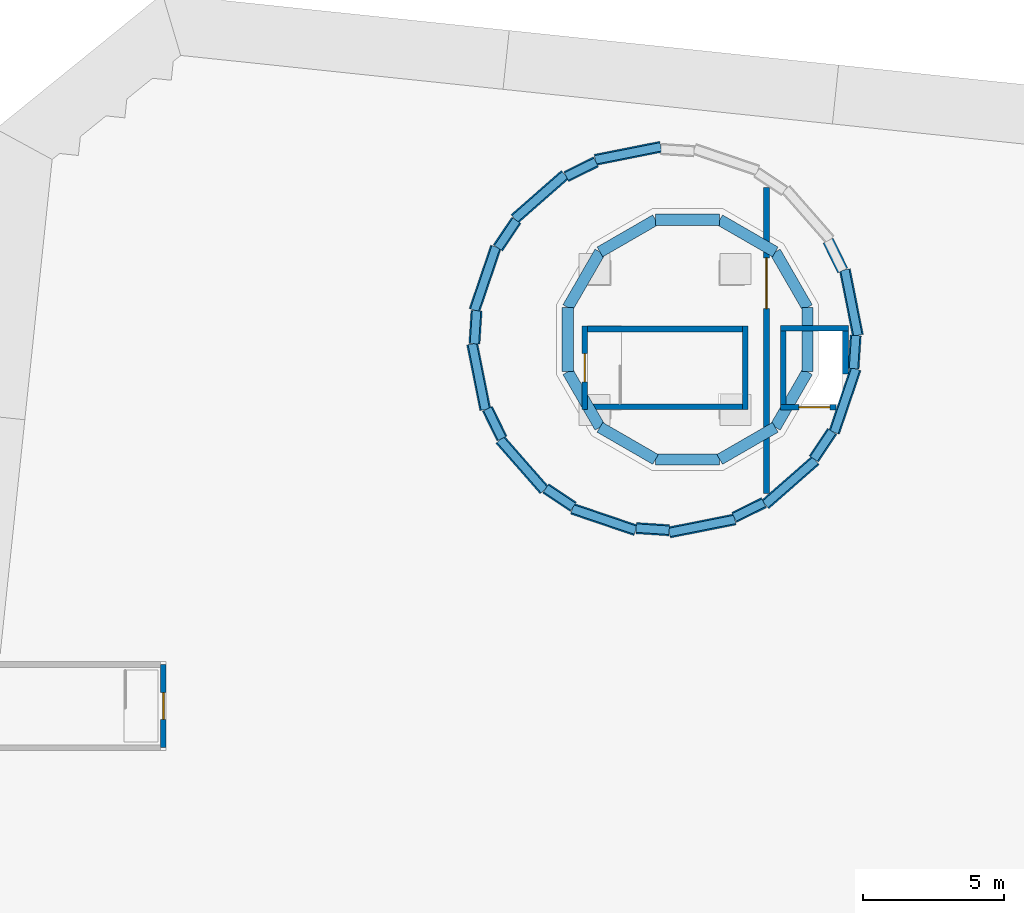
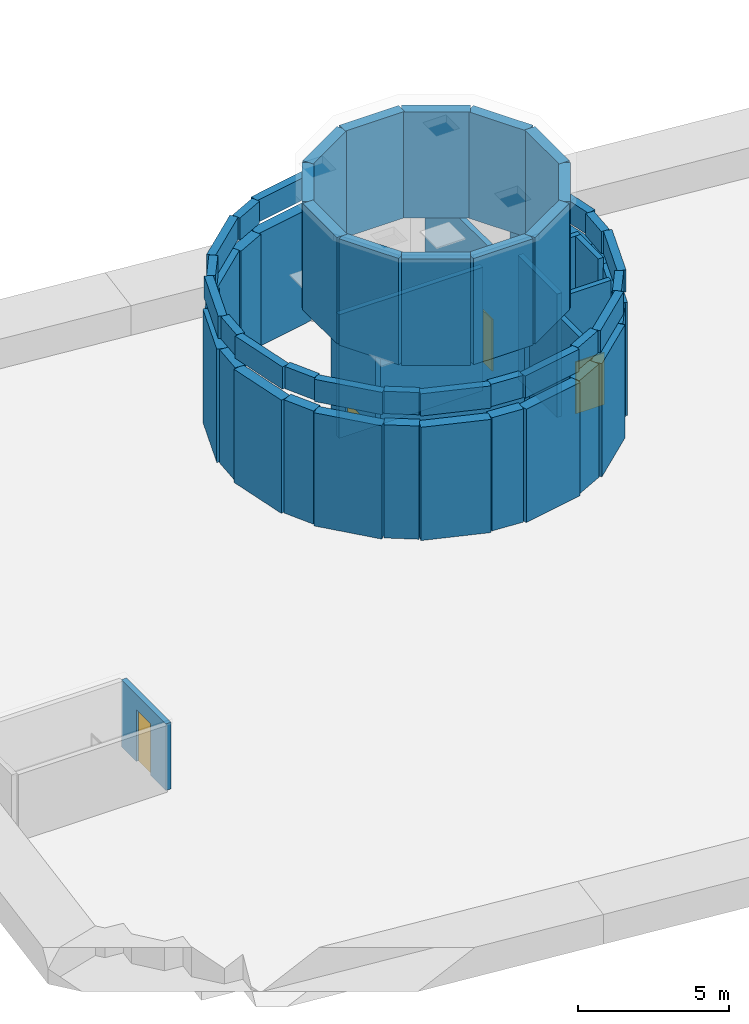
# One storey, part 1 of 3: 61 walls, 4 doors, 4 openings.
"""IFC4 building model written with IfcOpenShell, lengths in metres."""

from ifc_helpers import new_model, si_unit, direction, frame, frame_2d, origin, place, context, subcontext, project, spatial, rectangle, extrude, material, layer, layer_set, type_object, element, fill, save


model = new_model("IFC4")

# Units and contexts
model_context = context("Model", 3, precision=1e-05, world=origin(), true_north=direction((0.0, 1.0)))
body_context = subcontext(model_context, "Body", "Model", "MODEL_VIEW")
ifc_project = project(units=[si_unit("LENGTHUNIT", "METRE"), si_unit("AREAUNIT", "SQUARE_METRE"), si_unit("VOLUMEUNIT", "CUBIC_METRE"), si_unit("PLANEANGLEUNIT", "RADIAN"), si_unit("MASSUNIT", "GRAM", prefix="KILO")], contexts=[model_context])

# Site, building, storey
site_placement = place(None, origin())
site = spatial("IfcSite", under=ifc_project, at=site_placement, CompositionType="ELEMENT")
building_placement = place(site_placement, origin())
building = spatial("IfcBuilding", under=site, at=building_placement, Name="Vidyagriha Tower", CompositionType="ELEMENT")
storey_placement = place(building_placement, frame((0.0, 0.0, 313.39990234375)))
storey = spatial("IfcBuildingStorey", under=building, at=storey_placement, Name="L80", CompositionType="ELEMENT", Elevation=313.39990234375)

# Walls
ifc_material_1 = material(Name="Precast concrete C40/50 with brick facing", Category="concrete")
ifc_layer_1 = layer(ifc_material_1, 0.300048828125)
ifc_layer_set_1 = layer_set([ifc_layer_1], Name="Precast concrete C40/50 with brick facing")
wall_type_1 = type_object("IfcWallType", Name="Brick parapet wall 300", PredefinedType="PARAPET", material=ifc_layer_set_1)
for number, where, z_axis, x_axis, name in (
    (1, (6.84228515625, 13.150390625, 5.0), (0.0, 0.0, 1.0), (-0.195127507542, 0.980777883009, 0.0), "Drum roof parapet R01"),
    (2, (-0.150390625, 19.84228515625, 5.0), (0.0, 0.0, 1.0), (-0.980777883009, -0.195127507542, 0.0), "Drum roof parapet R07"),
):
    element("IfcWall", number, at=place(storey_placement, frame(where, z_axis=z_axis, x_axis=x_axis)), inside=storey, type_object=wall_type_1, Name=name, PredefinedType="PARAPET", context=body_context, shape_type="SweptSolid", body=[
        extrude(rectangle(XDim=2.374755859375, YDim=0.300048828125, at=frame_2d((1.1875, 0.0))), origin(), (0.0, 0.0, 1.0), 0.900146484375),
    ])
wall_1_placement = place(storey_placement, frame((-2.454345703125, 19.3046875, 5.0), z_axis=(0.0, 0.0, 1.0), x_axis=(-0.896948795246, -0.442134435107, 0.0)))
element("IfcWall", 3, at=wall_1_placement, inside=storey, type_object=wall_type_1, Name="Drum roof parapet R08", PredefinedType="PARAPET", context=body_context, shape_type="SweptSolid", body=[
    extrude(rectangle(XDim=1.174560546875, YDim=0.300048828125, at=frame_2d((0.58740234375, 0.0))), origin(), (0.0, 0.0, 1.0), 0.900146484375),
])
wall_2_placement = place(storey_placement, frame((-3.551513671875, 18.850341796875, 5.0), z_axis=(0.0, 0.0, 1.0), x_axis=(-0.751856568523, -0.659326702302, 0.0)))
element("IfcWall", 4, at=wall_2_placement, inside=storey, type_object=wall_type_1, Name="Drum roof parapet R09", PredefinedType="PARAPET", context=body_context, shape_type="SweptSolid", body=[
    extrude(rectangle(XDim=2.374755859375, YDim=0.300048828125, at=frame_2d((1.1875, 0.0))), origin(), (0.0, 0.0, 1.0), 0.900146484375),
])
wall_3_placement = place(storey_placement, frame((-5.27783203125, 17.23291015625, 5.0), z_axis=(0.0, 0.0, 1.0), x_axis=(-0.55551524194, -0.831506353537, 0.0)))
element("IfcWall", 5, at=wall_3_placement, inside=storey, type_object=wall_type_1, Name="Drum roof parapet R10", PredefinedType="PARAPET", context=body_context, shape_type="SweptSolid", body=[
    extrude(rectangle(XDim=1.1748046875, YDim=0.300048828125, at=frame_2d((0.58740234375, 0.0))), origin(), (0.0, 0.0, 1.0), 0.900146484375),
])
wall_4_placement = place(storey_placement, frame((-6.000732421875, 16.291015625, 5.0), z_axis=(0.0, 0.0, 1.0), x_axis=(-0.321465904771, -0.946921154093, 0.0)))
element("IfcWall", 6, at=wall_4_placement, inside=storey, type_object=wall_type_1, Name="Drum roof parapet R11", PredefinedType="PARAPET", context=body_context, shape_type="SweptSolid", body=[
    extrude(rectangle(XDim=2.374755859375, YDim=0.300048828125, at=frame_2d((1.1875, 0.0))), origin(), (0.0, 0.0, 1.0), 0.900146484375),
])
wall_5_placement = place(storey_placement, frame((-6.687255859375, 14.02685546875, 5.0), z_axis=(0.0, 0.0, 1.0), x_axis=(-0.065470561939, -0.997854501177, 0.0)))
element("IfcWall", 7, at=wall_5_placement, inside=storey, type_object=wall_type_1, Name="Drum roof parapet R12", PredefinedType="PARAPET", context=body_context, shape_type="SweptSolid", body=[
    extrude(rectangle(XDim=1.174560546875, YDim=0.300048828125, at=frame_2d((0.58740234375, 0.0))), origin(), (0.0, 0.0, 1.0), 0.900146484375),
])
wall_6_placement = place(storey_placement, frame((-6.84228515625, 12.849609375, 5.0), z_axis=(0.0, 0.0, 1.0), x_axis=(0.195127507542, -0.980777883009, 0.0)))
element("IfcWall", 8, at=wall_6_placement, inside=storey, type_object=wall_type_1, Name="Drum roof parapet R13", PredefinedType="PARAPET", context=body_context, shape_type="SweptSolid", body=[
    extrude(rectangle(XDim=2.374755859375, YDim=0.300048828125, at=frame_2d((1.1875, 0.0))), origin(), (0.0, 0.0, 1.0), 0.900146484375),
])
wall_7_placement = place(storey_placement, frame((-6.3046875, 10.545654296875, 5.0), z_axis=(0.0, 0.0, 1.0), x_axis=(0.442134435107, -0.896948795246, 0.0)))
element("IfcWall", 9, at=wall_7_placement, inside=storey, type_object=wall_type_1, Name="Drum roof parapet R14", PredefinedType="PARAPET", context=body_context, shape_type="SweptSolid", body=[
    extrude(rectangle(XDim=1.174560546875, YDim=0.300048828125, at=frame_2d((0.58740234375, 0.0))), origin(), (0.0, 0.0, 1.0), 0.900146484375),
])
wall_8_placement = place(storey_placement, frame((-5.850341796875, 9.448486328125, 5.0), z_axis=(0.0, 0.0, 1.0), x_axis=(0.659326702302, -0.751856568523, 0.0)))
element("IfcWall", 10, at=wall_8_placement, inside=storey, type_object=wall_type_1, Name="Drum roof parapet R15", PredefinedType="PARAPET", context=body_context, shape_type="SweptSolid", body=[
    extrude(rectangle(XDim=2.374755859375, YDim=0.300048828125, at=frame_2d((1.1875, 0.0))), origin(), (0.0, 0.0, 1.0), 0.900146484375),
])
wall_9_placement = place(storey_placement, frame((-4.23291015625, 7.72216796875, 5.0), z_axis=(0.0, 0.0, 1.0), x_axis=(0.831506353537, -0.55551524194, 0.0)))
element("IfcWall", 11, at=wall_9_placement, inside=storey, type_object=wall_type_1, Name="Drum roof parapet R16", PredefinedType="PARAPET", context=body_context, shape_type="SweptSolid", body=[
    extrude(rectangle(XDim=1.1748046875, YDim=0.300048828125, at=frame_2d((0.58740234375, 0.0))), origin(), (0.0, 0.0, 1.0), 0.900146484375),
])
wall_10_placement = place(storey_placement, frame((-3.291015625, 6.999267578125, 5.0), z_axis=(0.0, 0.0, 1.0), x_axis=(0.946921154093, -0.321465904771, 0.0)))
element("IfcWall", 12, at=wall_10_placement, inside=storey, type_object=wall_type_1, Name="Drum roof parapet R17", PredefinedType="PARAPET", context=body_context, shape_type="SweptSolid", body=[
    extrude(rectangle(XDim=2.374755859375, YDim=0.300048828125, at=frame_2d((1.1875, 0.0))), origin(), (0.0, 0.0, 1.0), 0.900146484375),
])
wall_11_placement = place(storey_placement, frame((-1.02685546875, 6.312744140625, 5.0), z_axis=(0.0, 0.0, 1.0), x_axis=(0.997854501177, -0.065470561939, 0.0)))
element("IfcWall", 13, at=wall_11_placement, inside=storey, type_object=wall_type_1, Name="Drum roof parapet R18", PredefinedType="PARAPET", context=body_context, shape_type="SweptSolid", body=[
    extrude(rectangle(XDim=1.174560546875, YDim=0.300048828125, at=frame_2d((0.58740234375, 0.0))), origin(), (0.0, 0.0, 1.0), 0.900146484375),
])
wall_12_placement = place(storey_placement, frame((0.150390625, 6.15771484375, 5.0), z_axis=(0.0, 0.0, 1.0), x_axis=(0.980777883009, 0.195127507542, 0.0)))
element("IfcWall", 14, at=wall_12_placement, inside=storey, type_object=wall_type_1, Name="Drum roof parapet R19", PredefinedType="PARAPET", context=body_context, shape_type="SweptSolid", body=[
    extrude(rectangle(XDim=2.374755859375, YDim=0.300048828125, at=frame_2d((1.1875, 0.0))), origin(), (0.0, 0.0, 1.0), 0.900146484375),
])
wall_13_placement = place(storey_placement, frame((2.454345703125, 6.6953125, 5.0), z_axis=(0.0, 0.0, 1.0), x_axis=(0.896948795246, 0.442134435107, 0.0)))
element("IfcWall", 15, at=wall_13_placement, inside=storey, type_object=wall_type_1, Name="Drum roof parapet R20", PredefinedType="PARAPET", context=body_context, shape_type="SweptSolid", body=[
    extrude(rectangle(XDim=1.174560546875, YDim=0.300048828125, at=frame_2d((0.58740234375, 0.0))), origin(), (0.0, 0.0, 1.0), 0.900146484375),
])
wall_14_placement = place(storey_placement, frame((3.551513671875, 7.149658203125, 5.0), z_axis=(0.0, 0.0, 1.0), x_axis=(0.751856568523, 0.659326702302, 0.0)))
element("IfcWall", 16, at=wall_14_placement, inside=storey, type_object=wall_type_1, Name="Drum roof parapet R21", PredefinedType="PARAPET", context=body_context, shape_type="SweptSolid", body=[
    extrude(rectangle(XDim=2.374755859375, YDim=0.300048828125, at=frame_2d((1.1875, 0.0))), origin(), (0.0, 0.0, 1.0), 0.900146484375),
])
wall_15_placement = place(storey_placement, frame((5.27783203125, 8.76708984375, 5.0), z_axis=(0.0, 0.0, 1.0), x_axis=(0.55551524194, 0.831506353537, 0.0)))
element("IfcWall", 17, at=wall_15_placement, inside=storey, type_object=wall_type_1, Name="Drum roof parapet R22", PredefinedType="PARAPET", context=body_context, shape_type="SweptSolid", body=[
    extrude(rectangle(XDim=1.1748046875, YDim=0.300048828125, at=frame_2d((0.58740234375, 0.0))), origin(), (0.0, 0.0, 1.0), 0.900146484375),
])
wall_16_placement = place(storey_placement, frame((6.000732421875, 9.708984375, 5.0), z_axis=(0.0, 0.0, 1.0), x_axis=(0.321465904771, 0.946921154093, 0.0)))
element("IfcWall", 18, at=wall_16_placement, inside=storey, type_object=wall_type_1, Name="Drum roof parapet R23", PredefinedType="PARAPET", context=body_context, shape_type="SweptSolid", body=[
    extrude(rectangle(XDim=2.374755859375, YDim=0.300048828125, at=frame_2d((1.1875, 0.0))), origin(), (0.0, 0.0, 1.0), 0.900146484375),
])
wall_17_placement = place(storey_placement, frame((6.687255859375, 11.97314453125, 5.0), z_axis=(0.0, 0.0, 1.0), x_axis=(0.065470561939, 0.997854501177, 0.0)))
element("IfcWall", 19, at=wall_17_placement, inside=storey, type_object=wall_type_1, Name="Drum roof parapet R24", PredefinedType="PARAPET", context=body_context, shape_type="SweptSolid", body=[
    extrude(rectangle(XDim=1.174560546875, YDim=0.300048828125, at=frame_2d((0.58740234375, 0.0))), origin(), (0.0, 0.0, 1.0), 0.900146484375),
])
ifc_material_2 = material(Name="Precast concrete C40/50 with brick facing", Category="concrete")
ifc_layer_2 = layer(ifc_material_2, 0.39990234375)
ifc_layer_set_2 = layer_set([ifc_layer_2], Name="Precast concrete C40/50 with brick facing")
wall_type_2 = type_object("IfcWallType", Name="Brick-faced mast pedestal wall 400", PredefinedType="STANDARD", material=ifc_layer_set_2)
for number, where, z_axis, x_axis, name in (
    (20, (3.911376953125, 16.111328125, 5.0), (0.0, 0.0, 1.0), (-0.866071357471, 0.499920397431, 0.0), "Mast pedestal wall 1"),
    (21, (1.938720703125, 17.25, 5.0), (0.0, 0.0, 1.0), (-1.0, 0.0, 0.0), "Mast pedestal wall 2"),
    (22, (-0.3388671875, 17.25, 5.0), (0.0, 0.0, 1.0), (-0.86604456551, -0.499966809449, 0.0), "Mast pedestal wall 3"),
    (23, (-2.311279296875, 16.111328125, 5.0), (0.0, 0.0, 1.0), (-0.500047204294, -0.865998148658, 0.0), "Mast pedestal wall 4"),
):
    element("IfcWall", number, at=place(storey_placement, frame(where, z_axis=z_axis, x_axis=x_axis)), inside=storey, type_object=wall_type_2, Name=name, PredefinedType="STANDARD", context=body_context, shape_type="SweptSolid", body=[
        extrude(rectangle(XDim=2.277587890625, YDim=0.39990234375, at=frame_2d((1.138671875, 0.0))), origin(), (0.0, 0.0, 1.0), 4.300048828125),
    ])
wall_18_placement = place(storey_placement, frame((-3.4501953125, 14.138916015625, 5.0), z_axis=(0.0, 0.0, 1.0), x_axis=(0.0, -1.0, 0.0)))
element("IfcWall", 24, at=wall_18_placement, inside=storey, type_object=wall_type_2, Name="Mast pedestal wall 5", PredefinedType="STANDARD", context=body_context, shape_type="SweptSolid", body=[
    extrude(rectangle(XDim=2.27783203125, YDim=0.39990234375, at=frame_2d((1.138916015625, 0.0))), origin(), (0.0, 0.0, 1.0), 4.300048828125),
])
for number, where, z_axis, x_axis, name in (
    (25, (-3.4501953125, 11.861083984375, 5.0), (0.0, 0.0, 1.0), (0.500047204294, -0.865998148658, 0.0), "Mast pedestal wall 6"),
    (26, (-2.311279296875, 9.888671875, 5.0), (0.0, 0.0, 1.0), (0.86604456551, -0.499966809449, 0.0), "Mast pedestal wall 7"),
):
    element("IfcWall", number, at=place(storey_placement, frame(where, z_axis=z_axis, x_axis=x_axis)), inside=storey, type_object=wall_type_2, Name=name, PredefinedType="STANDARD", context=body_context, shape_type="SweptSolid", body=[
        extrude(rectangle(XDim=2.277587890625, YDim=0.39990234375, at=frame_2d((1.138671875, 0.0))), origin(), (0.0, 0.0, 1.0), 4.300048828125),
    ])
wall_19_placement = place(storey_placement, frame((-0.3388671875, 8.75, 5.0)))
element("IfcWall", 27, at=wall_19_placement, inside=storey, type_object=wall_type_2, Name="Mast pedestal wall 8", PredefinedType="STANDARD", context=body_context, shape_type="SweptSolid", body=[
    extrude(rectangle(XDim=2.277587890625, YDim=0.39990234375, at=frame_2d((1.138671875, 0.0))), origin(), (0.0, 0.0, 1.0), 4.300048828125),
])
for number, where, z_axis, x_axis, name in (
    (28, (1.938720703125, 8.75, 5.0), (0.0, 0.0, 1.0), (0.866071357471, 0.499920397431, 0.0), "Mast pedestal wall 9"),
    (29, (3.911376953125, 9.888671875, 5.0), (0.0, 0.0, 1.0), (0.499966809449, 0.86604456551, 0.0), "Mast pedestal wall 10"),
):
    element("IfcWall", number, at=place(storey_placement, frame(where, z_axis=z_axis, x_axis=x_axis)), inside=storey, type_object=wall_type_2, Name=name, PredefinedType="STANDARD", context=body_context, shape_type="SweptSolid", body=[
        extrude(rectangle(XDim=2.277587890625, YDim=0.39990234375, at=frame_2d((1.138671875, 0.0))), origin(), (0.0, 0.0, 1.0), 4.300048828125),
    ])
wall_20_placement = place(storey_placement, frame((5.050048828125, 11.861083984375, 5.0), z_axis=(0.0, 0.0, 1.0), x_axis=(0.0, 1.0, 0.0)))
element("IfcWall", 30, at=wall_20_placement, inside=storey, type_object=wall_type_2, Name="Mast pedestal wall 11", PredefinedType="STANDARD", context=body_context, shape_type="SweptSolid", body=[
    extrude(rectangle(XDim=2.27783203125, YDim=0.39990234375, at=frame_2d((1.138916015625, 0.0))), origin(), (0.0, 0.0, 1.0), 4.300048828125),
])
wall_21_placement = place(storey_placement, frame((5.050048828125, 14.138916015625, 5.0), z_axis=(0.0, 0.0, 1.0), x_axis=(-0.499966809449, 0.86604456551, 0.0)))
element("IfcWall", 31, at=wall_21_placement, inside=storey, type_object=wall_type_2, Name="Mast pedestal wall 12", PredefinedType="STANDARD", context=body_context, shape_type="SweptSolid", body=[
    extrude(rectangle(XDim=2.277587890625, YDim=0.39990234375, at=frame_2d((1.138671875, 0.0))), origin(), (0.0, 0.0, 1.0), 4.300048828125),
])
ifc_material_3 = material(Name="Precast concrete C40/50 with brick facing", Category="concrete")
ifc_layer_3 = layer(ifc_material_3, 0.39990234375)
ifc_layer_set_3 = layer_set([ifc_layer_3], Name="Precast concrete C40/50 with brick facing")
wall_type_3 = type_object("IfcWallType", Name="Brick-faced plant drum wall 400", PredefinedType="STANDARD", material=ifc_layer_set_3)
wall_22_placement = place(storey_placement, frame((6.84228515625, 13.150390625, 0.0), z_axis=(0.0, 0.0, 1.0), x_axis=(-0.195127507542, 0.980777883009, 0.0)))
element("IfcWall", 32, at=wall_22_placement, inside=storey, type_object=wall_type_3, Name="Plant drum wall R01", PredefinedType="STANDARD", context=body_context, shape_type="SweptSolid", body=[
    extrude(rectangle(XDim=2.374755859375, YDim=0.39990234375, at=frame_2d((1.1875, 0.0))), origin(), (0.0, 0.0, 1.0), 4.580078125),
])
wall_23_placement = place(storey_placement, frame((6.3046875, 15.454345703125, 0.0), z_axis=(0.0, 0.0, 1.0), x_axis=(-0.442134435107, 0.896948795246, 0.0)))
element("IfcWall", 33, at=wall_23_placement, inside=storey, type_object=wall_type_3, Name="Plant drum wall R02", PredefinedType="STANDARD", context=body_context, shape_type="SweptSolid", body=[
    extrude(rectangle(XDim=1.174560546875, YDim=0.39990234375, at=frame_2d((0.58740234375, 0.0))), origin(), (0.0, 0.0, 1.0), 4.580078125),
])
wall_24_placement = place(storey_placement, frame((-0.150390625, 19.84228515625, 0.0), z_axis=(0.0, 0.0, 1.0), x_axis=(-0.980777883009, -0.195127507542, 0.0)))
element("IfcWall", 34, at=wall_24_placement, inside=storey, type_object=wall_type_3, Name="Plant drum wall R07", PredefinedType="STANDARD", context=body_context, shape_type="SweptSolid", body=[
    extrude(rectangle(XDim=2.374755859375, YDim=0.39990234375, at=frame_2d((1.1875, 0.0))), origin(), (0.0, 0.0, 1.0), 4.580078125),
])
wall_25_placement = place(storey_placement, frame((-2.454345703125, 19.3046875, 0.0), z_axis=(0.0, 0.0, 1.0), x_axis=(-0.896948795246, -0.442134435107, 0.0)))
element("IfcWall", 35, at=wall_25_placement, inside=storey, type_object=wall_type_3, Name="Plant drum wall R08", PredefinedType="STANDARD", context=body_context, shape_type="SweptSolid", body=[
    extrude(rectangle(XDim=1.174560546875, YDim=0.39990234375, at=frame_2d((0.58740234375, 0.0))), origin(), (0.0, 0.0, 1.0), 4.580078125),
])
wall_26_placement = place(storey_placement, frame((-3.551513671875, 18.850341796875, 0.0), z_axis=(0.0, 0.0, 1.0), x_axis=(-0.751856568523, -0.659326702302, 0.0)))
element("IfcWall", 36, at=wall_26_placement, inside=storey, type_object=wall_type_3, Name="Plant drum wall R09", PredefinedType="STANDARD", context=body_context, shape_type="SweptSolid", body=[
    extrude(rectangle(XDim=2.374755859375, YDim=0.39990234375, at=frame_2d((1.1875, 0.0))), origin(), (0.0, 0.0, 1.0), 4.580078125),
])
wall_27_placement = place(storey_placement, frame((-5.27783203125, 17.23291015625, 0.0), z_axis=(0.0, 0.0, 1.0), x_axis=(-0.55551524194, -0.831506353537, 0.0)))
element("IfcWall", 37, at=wall_27_placement, inside=storey, type_object=wall_type_3, Name="Plant drum wall R10", PredefinedType="STANDARD", context=body_context, shape_type="SweptSolid", body=[
    extrude(rectangle(XDim=1.1748046875, YDim=0.39990234375, at=frame_2d((0.58740234375, 0.0))), origin(), (0.0, 0.0, 1.0), 4.580078125),
])
wall_28_placement = place(storey_placement, frame((-6.000732421875, 16.291015625, 0.0), z_axis=(0.0, 0.0, 1.0), x_axis=(-0.321465904771, -0.946921154093, 0.0)))
element("IfcWall", 38, at=wall_28_placement, inside=storey, type_object=wall_type_3, Name="Plant drum wall R11", PredefinedType="STANDARD", context=body_context, shape_type="SweptSolid", body=[
    extrude(rectangle(XDim=2.374755859375, YDim=0.39990234375, at=frame_2d((1.1875, 0.0))), origin(), (0.0, 0.0, 1.0), 4.580078125),
])
wall_29_placement = place(storey_placement, frame((-6.687255859375, 14.02685546875, 0.0), z_axis=(0.0, 0.0, 1.0), x_axis=(-0.065470561939, -0.997854501177, 0.0)))
element("IfcWall", 39, at=wall_29_placement, inside=storey, type_object=wall_type_3, Name="Plant drum wall R12", PredefinedType="STANDARD", context=body_context, shape_type="SweptSolid", body=[
    extrude(rectangle(XDim=1.174560546875, YDim=0.39990234375, at=frame_2d((0.58740234375, 0.0))), origin(), (0.0, 0.0, 1.0), 4.580078125),
])
wall_30_placement = place(storey_placement, frame((-6.84228515625, 12.849609375, 0.0), z_axis=(0.0, 0.0, 1.0), x_axis=(0.195127507542, -0.980777883009, 0.0)))
element("IfcWall", 40, at=wall_30_placement, inside=storey, type_object=wall_type_3, Name="Plant drum wall R13", PredefinedType="STANDARD", context=body_context, shape_type="SweptSolid", body=[
    extrude(rectangle(XDim=2.374755859375, YDim=0.39990234375, at=frame_2d((1.1875, 0.0))), origin(), (0.0, 0.0, 1.0), 4.580078125),
])
wall_31_placement = place(storey_placement, frame((-6.3046875, 10.545654296875, 0.0), z_axis=(0.0, 0.0, 1.0), x_axis=(0.442134435107, -0.896948795246, 0.0)))
element("IfcWall", 41, at=wall_31_placement, inside=storey, type_object=wall_type_3, Name="Plant drum wall R14", PredefinedType="STANDARD", context=body_context, shape_type="SweptSolid", body=[
    extrude(rectangle(XDim=1.174560546875, YDim=0.39990234375, at=frame_2d((0.58740234375, 0.0))), origin(), (0.0, 0.0, 1.0), 4.580078125),
])
wall_32_placement = place(storey_placement, frame((-5.850341796875, 9.448486328125, 0.0), z_axis=(0.0, 0.0, 1.0), x_axis=(0.659326702302, -0.751856568523, 0.0)))
element("IfcWall", 42, at=wall_32_placement, inside=storey, type_object=wall_type_3, Name="Plant drum wall R15", PredefinedType="STANDARD", context=body_context, shape_type="SweptSolid", body=[
    extrude(rectangle(XDim=2.374755859375, YDim=0.39990234375, at=frame_2d((1.1875, 0.0))), origin(), (0.0, 0.0, 1.0), 4.580078125),
])
wall_33_placement = place(storey_placement, frame((-4.23291015625, 7.72216796875, 0.0), z_axis=(0.0, 0.0, 1.0), x_axis=(0.831506353537, -0.55551524194, 0.0)))
element("IfcWall", 43, at=wall_33_placement, inside=storey, type_object=wall_type_3, Name="Plant drum wall R16", PredefinedType="STANDARD", context=body_context, shape_type="SweptSolid", body=[
    extrude(rectangle(XDim=1.1748046875, YDim=0.39990234375, at=frame_2d((0.58740234375, 0.0))), origin(), (0.0, 0.0, 1.0), 4.580078125),
])
wall_34_placement = place(storey_placement, frame((-3.291015625, 6.999267578125, 0.0), z_axis=(0.0, 0.0, 1.0), x_axis=(0.946921154093, -0.321465904771, 0.0)))
element("IfcWall", 44, at=wall_34_placement, inside=storey, type_object=wall_type_3, Name="Plant drum wall R17", PredefinedType="STANDARD", context=body_context, shape_type="SweptSolid", body=[
    extrude(rectangle(XDim=2.374755859375, YDim=0.39990234375, at=frame_2d((1.1875, 0.0))), origin(), (0.0, 0.0, 1.0), 4.580078125),
])
wall_35_placement = place(storey_placement, frame((-1.02685546875, 6.312744140625, 0.0), z_axis=(0.0, 0.0, 1.0), x_axis=(0.997854501177, -0.065470561939, 0.0)))
element("IfcWall", 45, at=wall_35_placement, inside=storey, type_object=wall_type_3, Name="Plant drum wall R18", PredefinedType="STANDARD", context=body_context, shape_type="SweptSolid", body=[
    extrude(rectangle(XDim=1.174560546875, YDim=0.39990234375, at=frame_2d((0.58740234375, 0.0))), origin(), (0.0, 0.0, 1.0), 4.580078125),
])
wall_36_placement = place(storey_placement, frame((0.150390625, 6.15771484375, 0.0), z_axis=(0.0, 0.0, 1.0), x_axis=(0.980777883009, 0.195127507542, 0.0)))
element("IfcWall", 46, at=wall_36_placement, inside=storey, type_object=wall_type_3, Name="Plant drum wall R19", PredefinedType="STANDARD", context=body_context, shape_type="SweptSolid", body=[
    extrude(rectangle(XDim=2.374755859375, YDim=0.39990234375, at=frame_2d((1.1875, 0.0))), origin(), (0.0, 0.0, 1.0), 4.580078125),
])
wall_37_placement = place(storey_placement, frame((2.454345703125, 6.6953125, 0.0), z_axis=(0.0, 0.0, 1.0), x_axis=(0.896948795246, 0.442134435107, 0.0)))
element("IfcWall", 47, at=wall_37_placement, inside=storey, type_object=wall_type_3, Name="Plant drum wall R20", PredefinedType="STANDARD", context=body_context, shape_type="SweptSolid", body=[
    extrude(rectangle(XDim=1.174560546875, YDim=0.39990234375, at=frame_2d((0.58740234375, 0.0))), origin(), (0.0, 0.0, 1.0), 4.580078125),
])
wall_38_placement = place(storey_placement, frame((3.551513671875, 7.149658203125, 0.0), z_axis=(0.0, 0.0, 1.0), x_axis=(0.751856568523, 0.659326702302, 0.0)))
element("IfcWall", 48, at=wall_38_placement, inside=storey, type_object=wall_type_3, Name="Plant drum wall R21", PredefinedType="STANDARD", context=body_context, shape_type="SweptSolid", body=[
    extrude(rectangle(XDim=2.374755859375, YDim=0.39990234375, at=frame_2d((1.1875, 0.0))), origin(), (0.0, 0.0, 1.0), 4.580078125),
])
wall_39_placement = place(storey_placement, frame((5.27783203125, 8.76708984375, 0.0), z_axis=(0.0, 0.0, 1.0), x_axis=(0.55551524194, 0.831506353537, 0.0)))
element("IfcWall", 49, at=wall_39_placement, inside=storey, type_object=wall_type_3, Name="Plant drum wall R22", PredefinedType="STANDARD", context=body_context, shape_type="SweptSolid", body=[
    extrude(rectangle(XDim=1.1748046875, YDim=0.39990234375, at=frame_2d((0.58740234375, 0.0))), origin(), (0.0, 0.0, 1.0), 4.580078125),
])
wall_40_placement = place(storey_placement, frame((6.000732421875, 9.708984375, 0.0), z_axis=(0.0, 0.0, 1.0), x_axis=(0.321465904771, 0.946921154093, 0.0)))
element("IfcWall", 50, at=wall_40_placement, inside=storey, type_object=wall_type_3, Name="Plant drum wall R23", PredefinedType="STANDARD", context=body_context, shape_type="SweptSolid", body=[
    extrude(rectangle(XDim=2.374755859375, YDim=0.39990234375, at=frame_2d((1.1875, 0.0))), origin(), (0.0, 0.0, 1.0), 4.580078125),
])
wall_41_placement = place(storey_placement, frame((6.687255859375, 11.97314453125, 0.0), z_axis=(0.0, 0.0, 1.0), x_axis=(0.065470561939, 0.997854501177, 0.0)))
element("IfcWall", 51, at=wall_41_placement, inside=storey, type_object=wall_type_3, Name="Plant drum wall R24", PredefinedType="STANDARD", context=body_context, shape_type="SweptSolid", body=[
    extrude(rectangle(XDim=1.174560546875, YDim=0.39990234375, at=frame_2d((0.58740234375, 0.0))), origin(), (0.0, 0.0, 1.0), 4.580078125),
])

# Wall, opening, door
ifc_material_4 = material(Name="Concrete C60/75", Category="concrete")
ifc_layer_4 = layer(ifc_material_4, 0.199951171875)
ifc_layer_set_4 = layer_set([ifc_layer_4], Name="Concrete C60/75")
wall_type_4 = type_object("IfcWallType", Name="Core shear wall 200 mm", PredefinedType="SHEAR", material=ifc_layer_set_4)
wall_42_placement = place(storey_placement, frame((-17.800048828125, -1.47509765625, 0.0), z_axis=(0.0, 0.0, 1.0), x_axis=(0.0, 1.0, 0.0)))
wall_42 = element("IfcWall", 52, at=wall_42_placement, inside=storey, type_object=wall_type_4, Name="Stair ST-D2 head-house east wall", PredefinedType="SHEAR", context=body_context, shape_type="SweptSolid", body=[
    extrude(rectangle(XDim=2.9501953125, YDim=0.199951171875, at=frame_2d((1.47509765625, 0.0))), origin(), (0.0, 0.0, 1.0), 2.7001953125),
])
opening_1_placement = place(wall_42_placement, frame((1.0, 0.0, 0.0)))
opening_1 = element("IfcOpeningElement", 53, at=opening_1_placement, cuts=wall_42, Name="Opening D80-03", PredefinedType="OPENING", context=body_context, shape_type="SweptSolid", body=[
    extrude(rectangle(XDim=0.949951171875, YDim=2.10009765625, at=frame_2d((0.47509765625, 1.050048828125))), frame((0.0, 0.10986328125, 0.0), z_axis=(0.0, -1.0, 0.0), x_axis=(1.0, 0.0, 0.0)), (0.0, 0.0, 1.0), 0.219970703125),
])
ifc_material_5 = material(Name="Hollow metal door leaf")
door_type_1 = type_object("IfcDoorType", Name="Stair exit door 950 x 2100 mm EI 90", OperationType="NOTDEFINED", PredefinedType="DOOR", material=ifc_material_5)
door_1_placement = place(opening_1_placement, frame((0.949951171875, 0.0, 0.0), z_axis=(0.0, 0.0, 1.0), x_axis=(-1.0, 0.0, 0.0)))
door_1 = element("IfcDoor", 54, at=door_1_placement, inside=storey, type_object=door_type_1, Name="Stair exit door ST-D2 roof deck", OperationType="SINGLE_SWING_LEFT", OverallHeight=2.10009765625, OverallWidth=0.949951171875, PredefinedType="DOOR", context=body_context, shape_type="SweptSolid", body=[
    extrude(rectangle(XDim=0.949951171875, YDim=2.10009765625, at=frame_2d((0.47509765625, 1.050048828125))), frame((0.0, 0.02490234375, 0.0), z_axis=(0.0, -1.0, 0.0), x_axis=(1.0, 0.0, 0.0)), (0.0, 0.0, 1.0), 0.050048828125),
])
fill(opening_1, door_1)

ifc_material_6 = material(Name="Blockwork 15 MPa", Category="masonry")
ifc_layer_5 = layer(ifc_material_6, 0.199951171875)
ifc_layer_set_5 = layer_set([ifc_layer_5], Name="Blockwork 15 MPa")
wall_type_5 = type_object("IfcWallType", Name="Service room partition 200 mm", PredefinedType="PARTITIONING", material=ifc_layer_set_5)
wall_43_placement = place(storey_placement, frame((3.60009765625, 7.53662109375, 0.0), z_axis=(0.0, 0.0, 1.0), x_axis=(0.0, 1.0, 0.0)))
wall_43 = element("IfcWall", 55, at=wall_43_placement, inside=storey, type_object=wall_type_5, Name="Drum plant room dividing wall", PredefinedType="PARTITIONING", context=body_context, shape_type="SweptSolid", body=[
    extrude(rectangle(XDim=10.86669921875, YDim=0.199951171875, at=frame_2d((5.433349609375, 0.0))), origin(), (0.0, 0.0, 1.0), 5.0),
])
opening_2_placement = place(wall_43_placement, frame((6.563232421875, 0.0, 0.0)))
opening_2 = element("IfcOpeningElement", 56, at=opening_2_placement, cuts=wall_43, Name="Opening D80-02", PredefinedType="OPENING", context=body_context, shape_type="SweptSolid", body=[
    extrude(rectangle(XDim=1.800048828125, YDim=2.10009765625, at=frame_2d((0.89990234375, 1.050048828125))), frame((0.0, 0.10986328125, 0.0), z_axis=(0.0, -1.0, 0.0), x_axis=(1.0, 0.0, 0.0)), (0.0, 0.0, 1.0), 0.219970703125),
])
ifc_material_7 = material(Name="Hollow metal door leaf")
door_type_2 = type_object("IfcDoorType", Name="Core lobby double door 1800 x 2100 mm EI 90", OperationType="NOTDEFINED", PredefinedType="DOOR", material=ifc_material_7)
door_2_placement = place(opening_2_placement, origin())
door_2 = element("IfcDoor", 57, at=door_2_placement, inside=storey, type_object=door_type_2, Name="Door drum plant rooms", OperationType="DOUBLE_DOOR_SINGLE_SWING", OverallHeight=2.10009765625, OverallWidth=1.800048828125, PredefinedType="DOOR", context=body_context, shape_type="SweptSolid", body=[
    extrude(rectangle(XDim=1.800048828125, YDim=2.10009765625, at=frame_2d((0.89990234375, 1.050048828125))), frame((0.0, 0.02490234375, 0.0), z_axis=(0.0, -1.0, 0.0), x_axis=(1.0, 0.0, 0.0)), (0.0, 0.0, 1.0), 0.050048828125),
])
fill(opening_2, door_2)

# Walls
for number, where, name in (
    (58, (-2.75, 10.625, 0.0), "Drum stair head south wall"),
    (59, (-2.75, 13.375, 0.0), "Drum stair head north wall"),
):
    element("IfcWall", number, at=place(storey_placement, frame(where)), inside=storey, type_object=wall_type_5, Name=name, PredefinedType="PARTITIONING", context=body_context, shape_type="SweptSolid", body=[
        extrude(rectangle(XDim=5.5, YDim=0.199951171875, at=frame_2d((2.75, 0.0))), origin(), (0.0, 0.0, 1.0), 5.0),
    ])
wall_44_placement = place(storey_placement, frame((2.85009765625, 10.52490234375, 0.0), z_axis=(0.0, 0.0, 1.0), x_axis=(0.0, 1.0, 0.0)))
element("IfcWall", 60, at=wall_44_placement, inside=storey, type_object=wall_type_5, Name="Drum stair head east wall", PredefinedType="PARTITIONING", context=body_context, shape_type="SweptSolid", body=[
    extrude(rectangle(XDim=2.9501953125, YDim=0.199951171875, at=frame_2d((1.47509765625, 0.0))), origin(), (0.0, 0.0, 1.0), 5.0),
])

# Wall, opening, door
wall_45_placement = place(storey_placement, frame((-2.85009765625, 10.52490234375, 0.0), z_axis=(0.0, 0.0, 1.0), x_axis=(0.0, 1.0, 0.0)))
wall_45 = element("IfcWall", 61, at=wall_45_placement, inside=storey, type_object=wall_type_5, Name="Drum stair head west wall", PredefinedType="PARTITIONING", context=body_context, shape_type="SweptSolid", body=[
    extrude(rectangle(XDim=2.9501953125, YDim=0.199951171875, at=frame_2d((1.47509765625, 0.0))), origin(), (0.0, 0.0, 1.0), 5.0),
])
opening_3_placement = place(wall_45_placement, frame((0.97509765625, 0.0, 0.0)))
opening_3 = element("IfcOpeningElement", 62, at=opening_3_placement, cuts=wall_45, Name="Opening D80-01", PredefinedType="OPENING", context=body_context, shape_type="SweptSolid", body=[
    extrude(rectangle(XDim=1.0, YDim=2.10009765625, at=frame_2d((0.5, 1.050048828125))), frame((0.0, 0.10986328125, 0.0), z_axis=(0.0, -1.0, 0.0), x_axis=(1.0, 0.0, 0.0)), (0.0, 0.0, 1.0), 0.219970703125),
])
ifc_material_8 = material(Name="Hollow metal door leaf")
door_type_3 = type_object("IfcDoorType", Name="Exit stair door 1000 x 2100 mm EI 90", OperationType="NOTDEFINED", PredefinedType="DOOR", material=ifc_material_8)
door_3_placement = place(opening_3_placement, origin())
door_3 = element("IfcDoor", 63, at=door_3_placement, inside=storey, type_object=door_type_3, Name="Stair door ST-D drum floor", OperationType="SINGLE_SWING_LEFT", OverallHeight=2.10009765625, OverallWidth=1.0, PredefinedType="DOOR", context=body_context, shape_type="SweptSolid", body=[
    extrude(rectangle(XDim=1.0, YDim=2.10009765625, at=frame_2d((0.5, 1.050048828125))), frame((0.0, 0.02490234375, 0.0), z_axis=(0.0, -1.0, 0.0), x_axis=(1.0, 0.0, 0.0)), (0.0, 0.0, 1.0), 0.050048828125),
])
fill(opening_3, door_3)

wall_46_placement = place(storey_placement, frame((4.10009765625, 10.60009765625, 0.0)))
wall_46 = element("IfcWall", 64, at=wall_46_placement, inside=storey, type_object=wall_type_5, Name="Fire service lift shaft south wall", PredefinedType="PARTITIONING", context=body_context, shape_type="SweptSolid", body=[
    extrude(rectangle(XDim=1.9599609375, YDim=0.199951171875, at=frame_2d((0.97998046875, 0.0))), origin(), (0.0, 0.0, 1.0), 5.0),
])
opening_4_placement = place(wall_46_placement, frame((0.64990234375, 0.0, 0.0)))
opening_4 = element("IfcOpeningElement", 65, at=opening_4_placement, cuts=wall_46, Name="Opening LD80-01", PredefinedType="OPENING", context=body_context, shape_type="SweptSolid", body=[
    extrude(rectangle(XDim=1.10009765625, YDim=2.10009765625, at=frame_2d((0.550048828125, 1.050048828125))), frame((0.0, 0.10986328125, 0.0), z_axis=(0.0, -1.0, 0.0), x_axis=(1.0, 0.0, 0.0)), (0.0, 0.0, 1.0), 0.219970703125),
])
ifc_material_9 = material(Name="Stainless steel sliding door panel", Category="steel")
door_type_4 = type_object("IfcDoorType", Name="Lift landing door 1100 x 2100 mm EI 90", OperationType="NOTDEFINED", PredefinedType="DOOR", material=ifc_material_9)
door_4_placement = place(opening_4_placement, origin())
door_4 = element("IfcDoor", 66, at=door_4_placement, inside=storey, type_object=door_type_4, Name="Landing door FF1 drum floor", OperationType="SLIDING_TO_LEFT", OverallHeight=2.10009765625, OverallWidth=1.10009765625, PredefinedType="DOOR", context=body_context, shape_type="SweptSolid", body=[
    extrude(rectangle(XDim=1.10009765625, YDim=2.10009765625, at=frame_2d((0.550048828125, 1.050048828125))), frame((0.0, 0.02490234375, 0.0), z_axis=(0.0, -1.0, 0.0), x_axis=(1.0, 0.0, 0.0)), (0.0, 0.0, 1.0), 0.050048828125),
])
fill(opening_4, door_4)

# Walls
wall_47_placement = place(storey_placement, frame((4.10009765625, 13.39990234375, 0.0)))
element("IfcWall", 67, at=wall_47_placement, inside=storey, type_object=wall_type_5, Name="Fire service lift shaft north wall", PredefinedType="PARTITIONING", context=body_context, shape_type="SweptSolid", body=[
    extrude(rectangle(XDim=2.39990234375, YDim=0.199951171875, at=frame_2d((1.199951171875, 0.0))), origin(), (0.0, 0.0, 1.0), 5.0),
])
wall_48_placement = place(storey_placement, frame((6.39990234375, 11.780029296875, 0.0), z_axis=(0.0, 0.0, 1.0), x_axis=(0.0, 1.0, 0.0)))
element("IfcWall", 68, at=wall_48_placement, inside=storey, type_object=wall_type_5, Name="Fire service lift shaft east wall", PredefinedType="PARTITIONING", context=body_context, shape_type="SweptSolid", body=[
    extrude(rectangle(XDim=1.52001953125, YDim=0.199951171875, at=frame_2d((0.760009765625, 0.0))), origin(), (0.0, 0.0, 1.0), 5.0),
])
wall_49_placement = place(storey_placement, frame((4.199951171875, 10.699951171875, 0.0), z_axis=(0.0, 0.0, 1.0), x_axis=(0.0, 1.0, 0.0)))
element("IfcWall", 69, at=wall_49_placement, inside=storey, type_object=wall_type_5, Name="Fire service lift shaft west wall", PredefinedType="PARTITIONING", context=body_context, shape_type="SweptSolid", body=[
    extrude(rectangle(XDim=2.60009765625, YDim=0.199951171875, at=frame_2d((1.300048828125, 0.0))), origin(), (0.0, 0.0, 1.0), 5.0),
])

save(model, "model.ifc")
